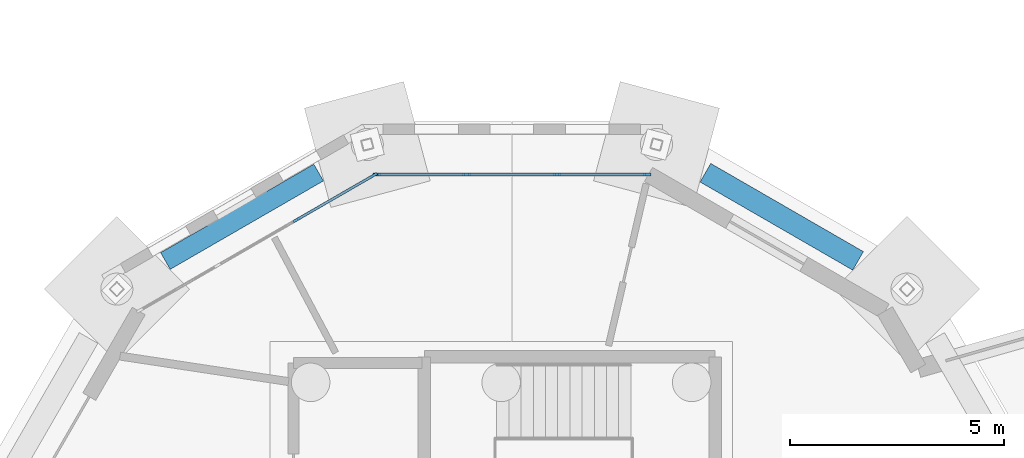
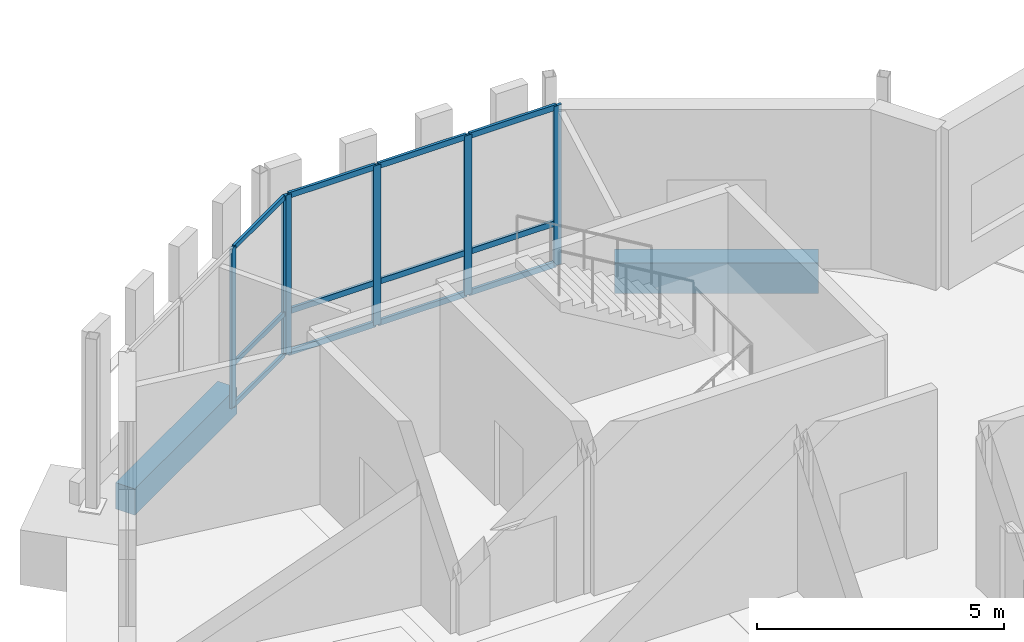
# One storey, part 44 of 113: 18 members, 2 beams, 2 elements without a shape of their own.
"""IFC4 building model written with IfcOpenShell, lengths in metres."""

from ifc_helpers import new_model, si_unit, direction, frame, origin, origin_2d, place, context, subcontext, project, spatial, rectangle, extrude, material, material_profile, profile_set, type_object, element, aggregate, save


model = new_model("IFC4")

# Units and contexts
model_context = context("Model", 3, precision=1e-05, world=origin(), true_north=direction((0.0, 1.0)))
body_context = subcontext(model_context, "Body", "Model", "MODEL_VIEW")
ifc_project = project(units=[si_unit("LENGTHUNIT", "METRE"), si_unit("AREAUNIT", "SQUARE_METRE"), si_unit("VOLUMEUNIT", "CUBIC_METRE"), si_unit("PLANEANGLEUNIT", "RADIAN"), si_unit("MASSUNIT", "GRAM", prefix="KILO")], contexts=[model_context])

# Site, building, storey
site_placement = place(None, origin())
site = spatial("IfcSite", under=ifc_project, at=site_placement, CompositionType="ELEMENT")
building_placement = place(site_placement, origin())
building = spatial("IfcBuilding", under=site, at=building_placement, Name="Wrenclough Park School", CompositionType="ELEMENT")
storey_placement = place(building_placement, origin())
storey = spatial("IfcBuildingStorey", under=building, at=storey_placement, Name="L00", CompositionType="ELEMENT", Elevation=0.0)

# Curtain wall, members
ifc_material_1 = material(Name="Thermally broken aluminium and low-e glass curtain wall", Category="aluminium")
curtain_wall_type_1 = type_object("IfcCurtainWallType", Name="ENV-CW-10", PredefinedType="USERDEFINED", material=ifc_material_1)
curtain_wall_1_placement = place(storey_placement, origin())
curtain_wall_1 = element("IfcCurtainWall", 1, at=curtain_wall_1_placement, inside=storey, type_object=curtain_wall_type_1, Name="L00 recessed curtain wall assembly 009", ObjectType="CURTAIN WALL", PredefinedType="USERDEFINED")
ifc_material_2 = material(Name="Thermally broken anodised aluminium", Category="aluminium")
ifc_material_profile_1 = material_profile(ifc_material_2, rectangle(XDim=0.06005859375, YDim=0.159912109375, at=origin_2d()), Name="AL MULLION 60x160")
ifc_profile_set_1 = profile_set([ifc_material_profile_1], Name="Thermally broken anodised aluminium")
member_type_1 = type_object("IfcMemberType", Name="ENV-CWM-1", PredefinedType="MULLION", material=ifc_profile_set_1)
member_1_placement = place(storey_placement, frame((11.466796875, 100.341796875, 0.0), z_axis=(0.0, 0.0, 1.0), x_axis=(-0.499999121909, 0.86602591075, 0.0)))
member_1 = element("IfcMember", 2, at=member_1_placement, type_object=member_type_1, Name="CW-10 mullion 3", PredefinedType="MULLION", context=body_context, shape_type="SweptSolid", body=[
    extrude(rectangle(XDim=0.06005859375, YDim=0.159912109375, at=origin_2d()), origin(), (0.0, 0.0, 1.0), 3.93994140625),
])
member_2_placement = place(storey_placement, frame((13.2802734375, 101.388916015625, 0.0), z_axis=(0.0, 0.0, 1.0), x_axis=(-0.499999121909, 0.86602591075, 0.0)))
member_2 = element("IfcMember", 3, at=member_2_placement, type_object=member_type_1, Name="CW-10 mullion 4", PredefinedType="MULLION", context=body_context, shape_type="SweptSolid", body=[
    extrude(rectangle(XDim=0.06005859375, YDim=0.159912109375, at=origin_2d()), origin(), (0.0, 0.0, 1.0), 3.93994140625),
])

curtain_wall_type_2 = type_object("IfcCurtainWallType", Name="ENV-CW-11", PredefinedType="USERDEFINED", material=ifc_material_1)
curtain_wall_2_placement = place(storey_placement, origin())
curtain_wall_2 = element("IfcCurtainWall", 4, at=curtain_wall_2_placement, inside=storey, type_object=curtain_wall_type_2, Name="L00 recessed curtain wall assembly 010", ObjectType="CURTAIN WALL", PredefinedType="USERDEFINED")
ifc_material_profile_2 = material_profile(ifc_material_2, rectangle(XDim=0.06494140625, YDim=0.179931640625, at=origin_2d()), Name="AL MULLION 65x180")
ifc_profile_set_2 = profile_set([ifc_material_profile_2], Name="Thermally broken anodised aluminium")
member_type_2 = type_object("IfcMemberType", Name="ENV-CWM-2", PredefinedType="MULLION", material=ifc_profile_set_2)
member_3_placement = place(storey_placement, frame((13.34619140625, 101.40576171875, 0.0), z_axis=(0.0, 0.0, 1.0), x_axis=(0.0, 1.0, 0.0)))
member_3 = element("IfcMember", 5, at=member_3_placement, type_object=member_type_2, Name="CW-11 mullion 1", PredefinedType="MULLION", context=body_context, shape_type="SweptSolid", body=[
    extrude(rectangle(XDim=0.06494140625, YDim=0.179931640625, at=origin_2d()), origin(), (0.0, 0.0, 1.0), 3.93994140625),
])
member_4_placement = place(storey_placement, frame((15.43798828125, 101.40576171875, 0.0), z_axis=(0.0, 0.0, 1.0), x_axis=(0.0, 1.0, 0.0)))
member_4 = element("IfcMember", 6, at=member_4_placement, type_object=member_type_2, Name="CW-11 mullion 2", PredefinedType="MULLION", context=body_context, shape_type="SweptSolid", body=[
    extrude(rectangle(XDim=0.06494140625, YDim=0.179931640625, at=origin_2d()), origin(), (0.0, 0.0, 1.0), 3.93994140625),
])
member_5_placement = place(storey_placement, frame((17.56201171875, 101.40576171875, 0.0), z_axis=(0.0, 0.0, 1.0), x_axis=(0.0, 1.0, 0.0)))
member_5 = element("IfcMember", 7, at=member_5_placement, type_object=member_type_2, Name="CW-11 mullion 3", PredefinedType="MULLION", context=body_context, shape_type="SweptSolid", body=[
    extrude(rectangle(XDim=0.06494140625, YDim=0.179931640625, at=origin_2d()), origin(), (0.0, 0.0, 1.0), 3.93994140625),
])
member_6_placement = place(storey_placement, frame((19.65380859375, 101.40576171875, 0.0), z_axis=(0.0, 0.0, 1.0), x_axis=(0.0, 1.0, 0.0)))
member_6 = element("IfcMember", 8, at=member_6_placement, type_object=member_type_2, Name="CW-11 mullion 4", PredefinedType="MULLION", context=body_context, shape_type="SweptSolid", body=[
    extrude(rectangle(XDim=0.06494140625, YDim=0.179931640625, at=origin_2d()), origin(), (0.0, 0.0, 1.0), 3.93994140625),
])

# Member
ifc_material_profile_3 = material_profile(ifc_material_2, rectangle(XDim=0.06005859375, YDim=0.1201171875, at=origin_2d()), Name="AL TRANSOM 60x120")
ifc_profile_set_3 = profile_set([ifc_material_profile_3], Name="Thermally broken anodised aluminium")
member_type_3 = type_object("IfcMemberType", Name="ENV-CWT-1", PredefinedType="USERDEFINED", material=ifc_profile_set_3)
member_7_placement = place(storey_placement, frame((11.49267578125, 100.356689453125, 0.030029296875), z_axis=(0.866033694824, 0.499985639223, 0.0), x_axis=(-0.499985639223, 0.866033694824, 0.0)))
member_7 = element("IfcMember", 9, at=member_7_placement, type_object=member_type_3, Name="CW-10 transom 3.1", ObjectType="TRANSOM", PredefinedType="USERDEFINED", context=body_context, shape_type="SweptSolid", body=[
    extrude(rectangle(XDim=0.06005859375, YDim=0.1201171875, at=origin_2d()), origin(), (0.0, 0.0, 1.0), 2.0341796875),
])

member_8_placement = place(storey_placement, frame((11.49267578125, 100.356689453125, 1.050048828125), z_axis=(0.866033694824, 0.499985639223, 0.0), x_axis=(-0.499985639223, 0.866033694824, 0.0)))
member_8 = element("IfcMember", 10, at=member_8_placement, type_object=member_type_3, Name="CW-10 transom 3.2", ObjectType="TRANSOM", PredefinedType="USERDEFINED", context=body_context, shape_type="SweptSolid", body=[
    extrude(rectangle(XDim=0.06005859375, YDim=0.1201171875, at=origin_2d()), origin(), (0.0, 0.0, 1.0), 2.0341796875),
])

member_9_placement = place(storey_placement, frame((11.49267578125, 100.356689453125, 3.909912109375), z_axis=(0.866033694824, 0.499985639223, 0.0), x_axis=(-0.499985639223, 0.866033694824, 0.0)))
member_9 = element("IfcMember", 11, at=member_9_placement, type_object=member_type_3, Name="CW-10 transom 3.3", ObjectType="TRANSOM", PredefinedType="USERDEFINED", context=body_context, shape_type="SweptSolid", body=[
    extrude(rectangle(XDim=0.06005859375, YDim=0.1201171875, at=origin_2d()), origin(), (0.0, 0.0, 1.0), 2.0341796875),
])

aggregate(curtain_wall_1, [member_1, member_2, member_7, member_8, member_9])

ifc_material_profile_4 = material_profile(ifc_material_2, rectangle(XDim=0.06494140625, YDim=0.139892578125, at=origin_2d()), Name="AL TRANSOM 65x140")
ifc_profile_set_4 = profile_set([ifc_material_profile_4], Name="Thermally broken anodised aluminium")
member_type_4 = type_object("IfcMemberType", Name="ENV-CWT-2", PredefinedType="USERDEFINED", material=ifc_profile_set_4)
member_10_placement = place(storey_placement, frame((13.37890625, 101.40576171875, 0.032470703125), z_axis=(1.0, 0.0, 0.0), x_axis=(0.0, 1.0, 0.0)))
member_10 = element("IfcMember", 12, at=member_10_placement, type_object=member_type_4, Name="CW-11 transom 1.1", ObjectType="TRANSOM", PredefinedType="USERDEFINED", context=body_context, shape_type="SweptSolid", body=[
    extrude(rectangle(XDim=0.06494140625, YDim=0.139892578125, at=origin_2d()), origin(), (0.0, 0.0, 1.0), 2.026611328125),
])

member_11_placement = place(storey_placement, frame((13.37890625, 101.40576171875, 1.050048828125), z_axis=(1.0, 0.0, 0.0), x_axis=(0.0, 1.0, 0.0)))
member_11 = element("IfcMember", 13, at=member_11_placement, type_object=member_type_4, Name="CW-11 transom 1.2", ObjectType="TRANSOM", PredefinedType="USERDEFINED", context=body_context, shape_type="SweptSolid", body=[
    extrude(rectangle(XDim=0.06494140625, YDim=0.139892578125, at=origin_2d()), origin(), (0.0, 0.0, 1.0), 2.026611328125),
])

member_12_placement = place(storey_placement, frame((13.37890625, 101.40576171875, 3.907470703125), z_axis=(1.0, 0.0, 0.0), x_axis=(0.0, 1.0, 0.0)))
member_12 = element("IfcMember", 14, at=member_12_placement, type_object=member_type_4, Name="CW-11 transom 1.3", ObjectType="TRANSOM", PredefinedType="USERDEFINED", context=body_context, shape_type="SweptSolid", body=[
    extrude(rectangle(XDim=0.06494140625, YDim=0.139892578125, at=origin_2d()), origin(), (0.0, 0.0, 1.0), 2.026611328125),
])

member_13_placement = place(storey_placement, frame((15.470458984375, 101.40576171875, 0.032470703125), z_axis=(1.0, 0.0, 0.0), x_axis=(0.0, 1.0, 0.0)))
member_13 = element("IfcMember", 15, at=member_13_placement, type_object=member_type_4, Name="CW-11 transom 2.1", ObjectType="TRANSOM", PredefinedType="USERDEFINED", context=body_context, shape_type="SweptSolid", body=[
    extrude(rectangle(XDim=0.06494140625, YDim=0.139892578125, at=origin_2d()), origin(), (0.0, 0.0, 1.0), 2.05908203125),
])

member_14_placement = place(storey_placement, frame((15.470458984375, 101.40576171875, 1.050048828125), z_axis=(1.0, 0.0, 0.0), x_axis=(0.0, 1.0, 0.0)))
member_14 = element("IfcMember", 16, at=member_14_placement, type_object=member_type_4, Name="CW-11 transom 2.2", ObjectType="TRANSOM", PredefinedType="USERDEFINED", context=body_context, shape_type="SweptSolid", body=[
    extrude(rectangle(XDim=0.06494140625, YDim=0.139892578125, at=origin_2d()), origin(), (0.0, 0.0, 1.0), 2.05908203125),
])

member_15_placement = place(storey_placement, frame((15.470458984375, 101.40576171875, 3.907470703125), z_axis=(1.0, 0.0, 0.0), x_axis=(0.0, 1.0, 0.0)))
member_15 = element("IfcMember", 17, at=member_15_placement, type_object=member_type_4, Name="CW-11 transom 2.3", ObjectType="TRANSOM", PredefinedType="USERDEFINED", context=body_context, shape_type="SweptSolid", body=[
    extrude(rectangle(XDim=0.06494140625, YDim=0.139892578125, at=origin_2d()), origin(), (0.0, 0.0, 1.0), 2.05908203125),
])

member_16_placement = place(storey_placement, frame((17.594482421875, 101.40576171875, 0.032470703125), z_axis=(1.0, 0.0, 0.0), x_axis=(0.0, 1.0, 0.0)))
member_16 = element("IfcMember", 18, at=member_16_placement, type_object=member_type_4, Name="CW-11 transom 3.1", ObjectType="TRANSOM", PredefinedType="USERDEFINED", context=body_context, shape_type="SweptSolid", body=[
    extrude(rectangle(XDim=0.06494140625, YDim=0.139892578125, at=origin_2d()), origin(), (0.0, 0.0, 1.0), 2.026611328125),
])

member_17_placement = place(storey_placement, frame((17.594482421875, 101.40576171875, 1.050048828125), z_axis=(1.0, 0.0, 0.0), x_axis=(0.0, 1.0, 0.0)))
member_17 = element("IfcMember", 19, at=member_17_placement, type_object=member_type_4, Name="CW-11 transom 3.2", ObjectType="TRANSOM", PredefinedType="USERDEFINED", context=body_context, shape_type="SweptSolid", body=[
    extrude(rectangle(XDim=0.06494140625, YDim=0.139892578125, at=origin_2d()), origin(), (0.0, 0.0, 1.0), 2.026611328125),
])

member_18_placement = place(storey_placement, frame((17.594482421875, 101.40576171875, 3.907470703125), z_axis=(1.0, 0.0, 0.0), x_axis=(0.0, 1.0, 0.0)))
member_18 = element("IfcMember", 20, at=member_18_placement, type_object=member_type_4, Name="CW-11 transom 3.3", ObjectType="TRANSOM", PredefinedType="USERDEFINED", context=body_context, shape_type="SweptSolid", body=[
    extrude(rectangle(XDim=0.06494140625, YDim=0.139892578125, at=origin_2d()), origin(), (0.0, 0.0, 1.0), 2.026611328125),
])

aggregate(curtain_wall_2, [member_3, member_4, member_5, member_6, member_10, member_11, member_12, member_13, member_14, member_15, member_16, member_17, member_18])

# Beams
ifc_material_3 = material(Name="Concrete C35/45", Category="concrete")
ifc_material_profile_5 = material_profile(ifc_material_3, rectangle(XDim=0.449951171875, YDim=0.64990234375, at=origin_2d()), Name="RC GROUND 450x650")
ifc_profile_set_5 = profile_set([ifc_material_profile_5], Name="Concrete C35/45")
beam_type_1 = type_object("IfcBeamType", Name="STR-BM-GTB1", PredefinedType="USERDEFINED", material=ifc_profile_set_5)
beam_1_placement = place(storey_placement, frame((11.9873046875, 101.449951171875, -0.625), z_axis=(-0.866032163869, -0.499988291006, 0.0), x_axis=(0.499988291006, -0.866032163869, 0.0)))
element("IfcBeam", 21, at=beam_1_placement, inside=storey, type_object=beam_type_1, Name="Reinforced concrete ground tie beam 067", ObjectType="GROUND TIE BEAM", PredefinedType="USERDEFINED", context=body_context, shape_type="SweptSolid", body=[
    extrude(rectangle(XDim=0.449951171875, YDim=0.64990234375, at=origin_2d()), origin(), (0.0, 0.0, 1.0), 4.1337890625),
])
ifc_material_profile_6 = material_profile(ifc_material_3, rectangle(XDim=0.5, YDim=0.75, at=origin_2d()), Name="RC GROUND 500x750")
ifc_profile_set_6 = profile_set([ifc_material_profile_6], Name="Concrete C35/45")
beam_type_2 = type_object("IfcBeamType", Name="STR-BM-GTB2", PredefinedType="USERDEFINED", material=ifc_profile_set_6)
beam_2_placement = place(storey_placement, frame((24.585693359375, 99.386962890625, -0.675048828125), z_axis=(-0.866008854593, 0.500028662945, 0.0), x_axis=(-0.500028662945, -0.866008854593, 0.0)))
element("IfcBeam", 22, at=beam_2_placement, inside=storey, type_object=beam_type_2, Name="Reinforced concrete ground tie beam 066", ObjectType="GROUND TIE BEAM", PredefinedType="USERDEFINED", context=body_context, shape_type="SweptSolid", body=[
    extrude(rectangle(XDim=0.5, YDim=0.75, at=origin_2d()), origin(), (0.0, 0.0, 1.0), 4.117919921875),
])

save(model, "model.ifc")
